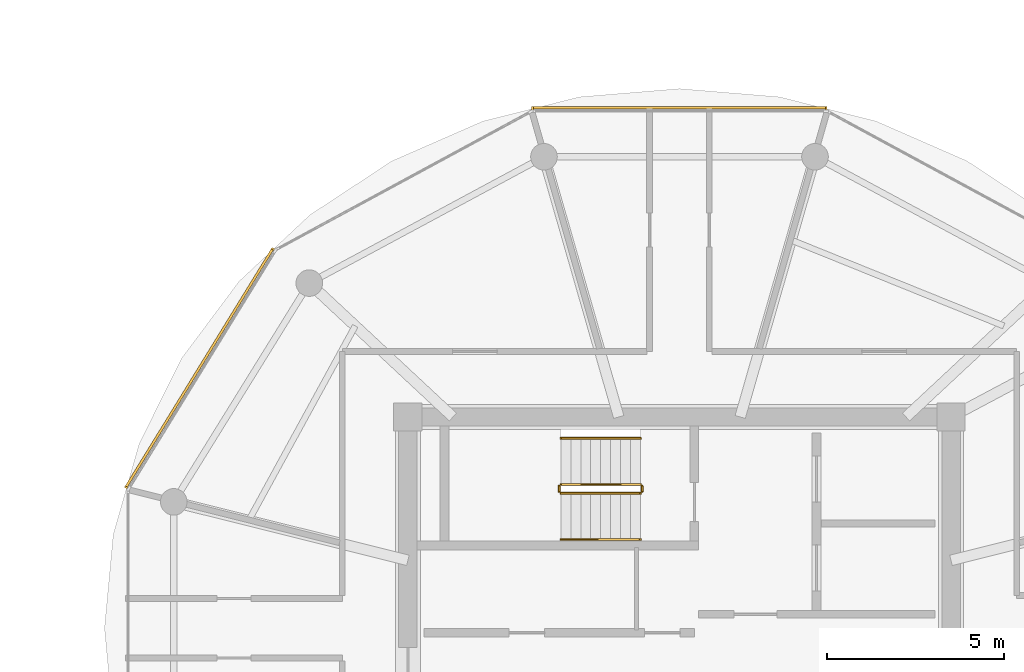
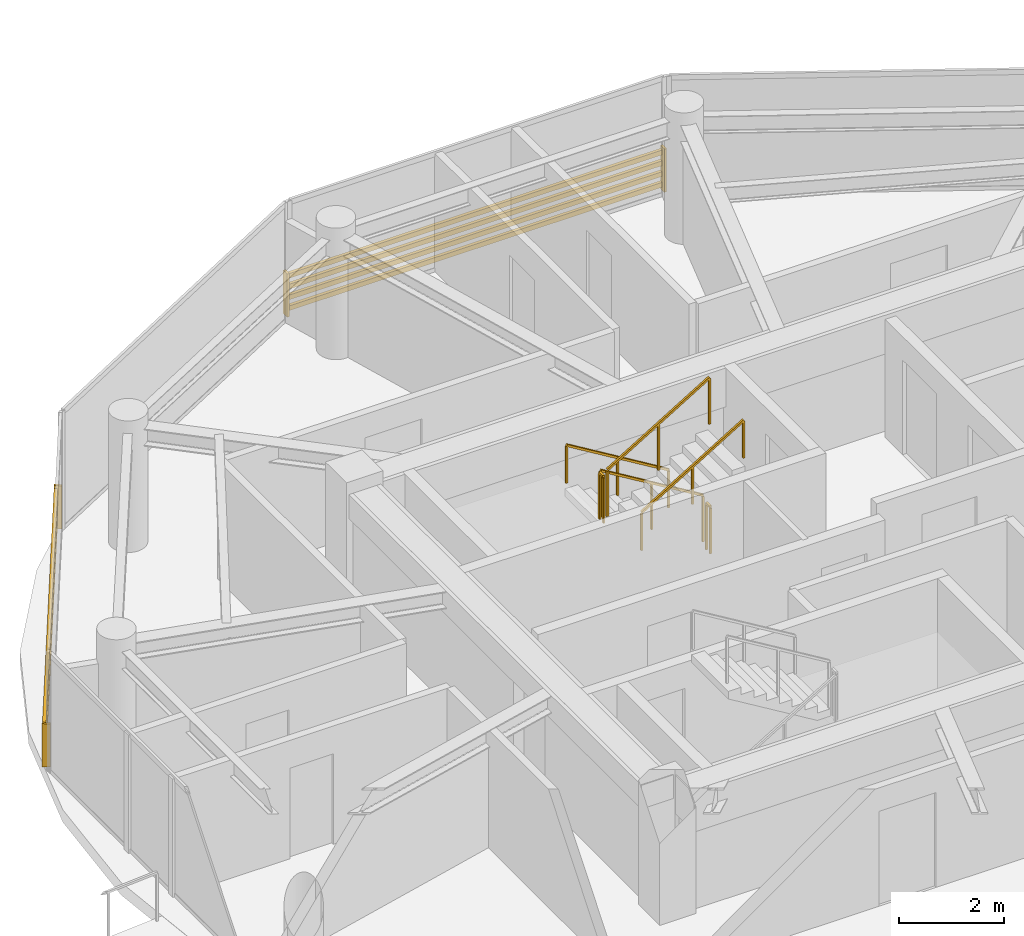
# One storey, part 21 of 24: 6 railings, 2 shading devices.
"""IFC4 building model written with IfcOpenShell, lengths in metres."""

from ifc_helpers import new_model, si_unit, direction, frame, origin, origin_2d, place, context, subcontext, project, spatial, rectangle, extrude, source, transform, mapped, material, type_object, type_shapes, element, save


model = new_model("IFC4")

# Units and contexts
model_context = context("Model", 3, precision=1e-05, world=origin(), true_north=direction((0.0, 1.0)))
body_context = subcontext(model_context, "Body", "Model", "MODEL_VIEW")
ifc_project = project(units=[si_unit("LENGTHUNIT", "METRE"), si_unit("AREAUNIT", "SQUARE_METRE"), si_unit("VOLUMEUNIT", "CUBIC_METRE"), si_unit("PLANEANGLEUNIT", "RADIAN"), si_unit("MASSUNIT", "GRAM", prefix="KILO")], contexts=[model_context])

# Site, building, storey
site_placement = place(None, origin())
site = spatial("IfcSite", under=ifc_project, at=site_placement, CompositionType="ELEMENT")
building_placement = place(site_placement, origin())
building = spatial("IfcBuilding", under=site, at=building_placement, Name="Norrkilde Senior Care Towers", CompositionType="ELEMENT")
storey_placement = place(building_placement, frame((0.0, 0.0, 226.10009765625)))
storey = spatial("IfcBuildingStorey", under=building, at=storey_placement, Name="L70", CompositionType="ELEMENT", Elevation=226.10009765625)

# Railings
ifc_material_1 = material(Name="Stainless Steel", Category="steel")
railing_type_1 = type_object("IfcRailingType", Name="Stair and Terrace Guardrail 1100", PredefinedType="GUARDRAIL", material=ifc_material_1)
railing_1_placement = place(storey_placement, frame((-29.10009765625, 4.050048828125, 0.16943359375)))
element("IfcRailing", 1, at=railing_1_placement, inside=storey, type_object=railing_type_1, Name="L70 ST-W1 stair guard 1", PredefinedType="GUARDRAIL", context=body_context, shape_type="SweptSolid", body=[
    extrude(rectangle(XDim=0.048095703125, YDim=0.048095703125, at=origin_2d()), frame((0.0, 0.0, 1.076171875), z_axis=(-0.855553338991, 0.0, 0.51771467445), x_axis=(0.0, -1.0, 0.0)), (0.0, 0.0, 1.0), 2.6181640625),
    extrude(rectangle(XDim=0.0419921875, YDim=0.0419921875, at=origin_2d()), origin(), (0.0, 0.0, 1.0), 1.050048828125),
    extrude(rectangle(XDim=0.0419921875, YDim=0.0419921875, at=origin_2d()), frame((-1.1201171875, 0.0, 0.677734375)), (0.0, 0.0, 1.0), 1.050048828125),
    extrude(rectangle(XDim=0.0419921875, YDim=0.0419921875, at=origin_2d()), frame((-2.239990234375, 0.0, 1.35546875)), (0.0, 0.0, 1.0), 1.050048828125),
])
railing_2_placement = place(storey_placement, frame((-31.389892578125, 4.0, 1.52490234375)))
element("IfcRailing", 2, at=railing_2_placement, inside=storey, type_object=railing_type_1, Name="L70 ST-W1 stair guard 2", PredefinedType="GUARDRAIL", context=body_context, shape_type="SweptSolid", body=[
    extrude(rectangle(XDim=0.048095703125, YDim=0.048095703125, at=origin_2d()), frame((0.0, 0.0, 1.076171875), z_axis=(0.0, -1.0, 0.0), x_axis=(1.0, 0.0, 0.0)), (0.0, 0.0, 1.0), 0.14990234375),
    extrude(rectangle(XDim=0.0419921875, YDim=0.0419921875, at=origin_2d()), origin(), (0.0, 0.0, 1.0), 1.050048828125),
    extrude(rectangle(XDim=0.0419921875, YDim=0.0419921875, at=origin_2d()), frame((0.0, -0.14990234375, 0.0)), (0.0, 0.0, 1.0), 1.050048828125),
])
railing_3_placement = place(storey_placement, frame((-31.340087890625, 3.800048828125, 1.6943359375)))
element("IfcRailing", 3, at=railing_3_placement, inside=storey, type_object=railing_type_1, Name="L70 ST-W1 stair guard 3", PredefinedType="GUARDRAIL", context=body_context, shape_type="SweptSolid", body=[
    extrude(rectangle(XDim=0.048095703125, YDim=0.048095703125, at=origin_2d()), frame((0.0, 0.0, 1.076171875), z_axis=(0.855553338991, 0.0, 0.51771467445), x_axis=(0.0, 1.0, 0.0)), (0.0, 0.0, 1.0), 2.6181640625),
    extrude(rectangle(XDim=0.0419921875, YDim=0.0419921875, at=origin_2d()), origin(), (0.0, 0.0, 1.0), 1.050048828125),
    extrude(rectangle(XDim=0.0419921875, YDim=0.0419921875, at=origin_2d()), frame((1.1201171875, 0.0, 0.677734375)), (0.0, 0.0, 1.0), 1.050048828125),
    extrude(rectangle(XDim=0.0419921875, YDim=0.0419921875, at=origin_2d()), frame((2.239990234375, 0.0, 1.35546875)), (0.0, 0.0, 1.0), 1.050048828125),
])
railing_4_placement = place(storey_placement, frame((-29.050048828125, 4.0, 0.0)))
element("IfcRailing", 4, at=railing_4_placement, inside=storey, type_object=railing_type_1, Name="L70 ST-W1 stair guard 4", PredefinedType="GUARDRAIL", context=body_context, shape_type="SweptSolid", body=[
    extrude(rectangle(XDim=0.048095703125, YDim=0.048095703125, at=origin_2d()), frame((0.0, 0.0, 1.076171875), z_axis=(0.0, -1.0, 0.0), x_axis=(1.0, 0.0, 0.0)), (0.0, 0.0, 1.0), 0.14990234375),
    extrude(rectangle(XDim=0.0419921875, YDim=0.0419921875, at=origin_2d()), origin(), (0.0, 0.0, 1.0), 1.050048828125),
    extrude(rectangle(XDim=0.0419921875, YDim=0.0419921875, at=origin_2d()), frame((0.0, -0.14990234375, 0.0)), (0.0, 0.0, 1.0), 1.050048828125),
])
ifc_material_2 = material(Name="Nordic Ash Timber", Category="wood")
railing_type_2 = type_object("IfcRailingType", Name="Wall and Stair Handrail 900", PredefinedType="HANDRAIL", material=ifc_material_2)
railing_5_placement = place(storey_placement, frame((-29.10009765625, 5.35009765625, 0.16943359375)))
element("IfcRailing", 5, at=railing_5_placement, inside=storey, type_object=railing_type_2, Name="L70 ST-W1 stair handrail 1", PredefinedType="HANDRAIL", context=body_context, shape_type="SweptSolid", body=[
    extrude(rectangle(XDim=0.048095703125, YDim=0.048095703125, at=origin_2d()), frame((0.0, 0.0, 0.8759765625), z_axis=(-0.855553338991, 0.0, 0.51771467445), x_axis=(0.0, -1.0, 0.0)), (0.0, 0.0, 1.0), 2.6181640625),
    extrude(rectangle(XDim=0.0419921875, YDim=0.0419921875, at=origin_2d()), origin(), (0.0, 0.0, 1.0), 0.849853515625),
    extrude(rectangle(XDim=0.0419921875, YDim=0.0419921875, at=origin_2d()), frame((-1.1201171875, 0.0, 0.677734375)), (0.0, 0.0, 1.0), 0.849853515625),
    extrude(rectangle(XDim=0.0419921875, YDim=0.0419921875, at=origin_2d()), frame((-2.239990234375, 0.0, 1.35546875)), (0.0, 0.0, 1.0), 0.849853515625),
])
railing_6_placement = place(storey_placement, frame((-31.340087890625, 2.5, 1.6943359375)))
element("IfcRailing", 6, at=railing_6_placement, inside=storey, type_object=railing_type_2, Name="L70 ST-W1 stair handrail 2", PredefinedType="HANDRAIL", context=body_context, shape_type="SweptSolid", body=[
    extrude(rectangle(XDim=0.048095703125, YDim=0.048095703125, at=origin_2d()), frame((0.0, 0.0, 0.8759765625), z_axis=(0.855553338991, 0.0, 0.51771467445), x_axis=(0.0, 1.0, 0.0)), (0.0, 0.0, 1.0), 2.6181640625),
    extrude(rectangle(XDim=0.0419921875, YDim=0.0419921875, at=origin_2d()), origin(), (0.0, 0.0, 1.0), 0.849853515625),
    extrude(rectangle(XDim=0.0419921875, YDim=0.0419921875, at=origin_2d()), frame((1.1201171875, 0.0, 0.677734375)), (0.0, 0.0, 1.0), 0.849853515625),
    extrude(rectangle(XDim=0.0419921875, YDim=0.0419921875, at=origin_2d()), frame((2.239990234375, 0.0, 1.35546875)), (0.0, 0.0, 1.0), 0.849853515625),
])

# Shading devices
ifc_material_3 = material(Name="Architectural Terracotta", Category="masonry")
shading_device_type = type_object("IfcShadingDeviceType", Name="Horizontal Terracotta Baguette Rack", PredefinedType="USERDEFINED", material=ifc_material_3)
shared_shape_1 = source(origin(), body_context, "Body", "SweptSolid", [
    extrude(rectangle(XDim=0.070068359375, YDim=0.110107421875, at=origin_2d()), frame((0.0, 0.090087890625, 0.125), z_axis=(1.0, 0.0, 0.0), x_axis=(0.0, 1.0, 0.0)), (0.0, 0.0, 1.0), 7.938232421875),
    extrude(rectangle(XDim=0.070068359375, YDim=0.110107421875, at=origin_2d()), frame((0.0, 0.090087890625, 0.375), z_axis=(1.0, 0.0, 0.0), x_axis=(0.0, 1.0, 0.0)), (0.0, 0.0, 1.0), 7.938232421875),
    extrude(rectangle(XDim=0.070068359375, YDim=0.110107421875, at=origin_2d()), frame((0.0, 0.090087890625, 0.625), z_axis=(1.0, 0.0, 0.0), x_axis=(0.0, 1.0, 0.0)), (0.0, 0.0, 1.0), 7.938232421875),
    extrude(rectangle(XDim=0.070068359375, YDim=0.110107421875, at=origin_2d()), frame((0.0, 0.090087890625, 0.875), z_axis=(1.0, 0.0, 0.0), x_axis=(0.0, 1.0, 0.0)), (0.0, 0.0, 1.0), 7.938232421875),
    extrude(rectangle(XDim=0.050048828125, YDim=0.1552734375, at=origin_2d()), frame((0.02490234375, 0.047607421875, 0.0)), (0.0, 0.0, 1.0), 1.0),
    extrude(rectangle(XDim=0.050048828125, YDim=0.1552734375, at=origin_2d()), frame((7.9130859375, 0.047607421875, 0.0)), (0.0, 0.0, 1.0), 1.0),
])
shading_device_1_placement = place(storey_placement, frame((-43.531982421875, 3.903076171875, 0.079833984375), z_axis=(0.0, 0.0, 1.0), x_axis=(0.524250345994, 0.851576195602, 0.0)))
element("IfcShadingDevice", 7, at=shading_device_1_placement, inside=storey, type_object=shading_device_type, Name="L70 Drum W Terracotta Baguette Screen 04", ObjectType="BAGUETTE", PredefinedType="USERDEFINED", context=body_context, shape_type="MappedRepresentation", body=[
    mapped(shared_shape_1, transform((0.0, 0.0, 0.0), x_axis=(1.0, 0.0, 0.0), y_axis=(0.0, 1.0, 0.0), z_axis=(0.0, 0.0, 1.0), scale=1.0)),
])
shared_shape_2 = source(origin(), body_context, "Body", "SweptSolid", [
    extrude(rectangle(XDim=0.070068359375, YDim=0.110107421875, at=origin_2d()), frame((0.0, 0.090087890625, 0.125), z_axis=(1.0, 0.0, 0.0), x_axis=(0.0, 1.0, 0.0)), (0.0, 0.0, 1.0), 8.32373046875),
    extrude(rectangle(XDim=0.070068359375, YDim=0.110107421875, at=origin_2d()), frame((0.0, 0.090087890625, 0.375), z_axis=(1.0, 0.0, 0.0), x_axis=(0.0, 1.0, 0.0)), (0.0, 0.0, 1.0), 8.32373046875),
    extrude(rectangle(XDim=0.070068359375, YDim=0.110107421875, at=origin_2d()), frame((0.0, 0.090087890625, 0.625), z_axis=(1.0, 0.0, 0.0), x_axis=(0.0, 1.0, 0.0)), (0.0, 0.0, 1.0), 8.32373046875),
    extrude(rectangle(XDim=0.070068359375, YDim=0.110107421875, at=origin_2d()), frame((0.0, 0.090087890625, 0.875), z_axis=(1.0, 0.0, 0.0), x_axis=(0.0, 1.0, 0.0)), (0.0, 0.0, 1.0), 8.32373046875),
    extrude(rectangle(XDim=0.050048828125, YDim=0.1552734375, at=origin_2d()), frame((0.02490234375, 0.047607421875, 0.0)), (0.0, 0.0, 1.0), 1.0),
    extrude(rectangle(XDim=0.050048828125, YDim=0.1552734375, at=origin_2d()), frame((8.298828125, 0.047607421875, 0.0)), (0.0, 0.0, 1.0), 1.0),
])
type_shapes(shading_device_type, [shared_shape_1, shared_shape_2])
shading_device_2_placement = place(storey_placement, frame((-32.161865234375, 14.566162109375, 0.079833984375), z_axis=(0.0, 0.0, 1.0), x_axis=(1.0, 0.0, 0.0)))
element("IfcShadingDevice", 8, at=shading_device_2_placement, inside=storey, type_object=shading_device_type, Name="L70 Drum W Terracotta Baguette Screen 02", ObjectType="BAGUETTE", PredefinedType="USERDEFINED", context=body_context, shape_type="MappedRepresentation", body=[
    mapped(shared_shape_2, transform((0.0, 0.0, 0.0), x_axis=(1.0, 0.0, 0.0), y_axis=(0.0, 1.0, 0.0), z_axis=(0.0, 0.0, 1.0), scale=1.0)),
])

save(model, "model.ifc")
